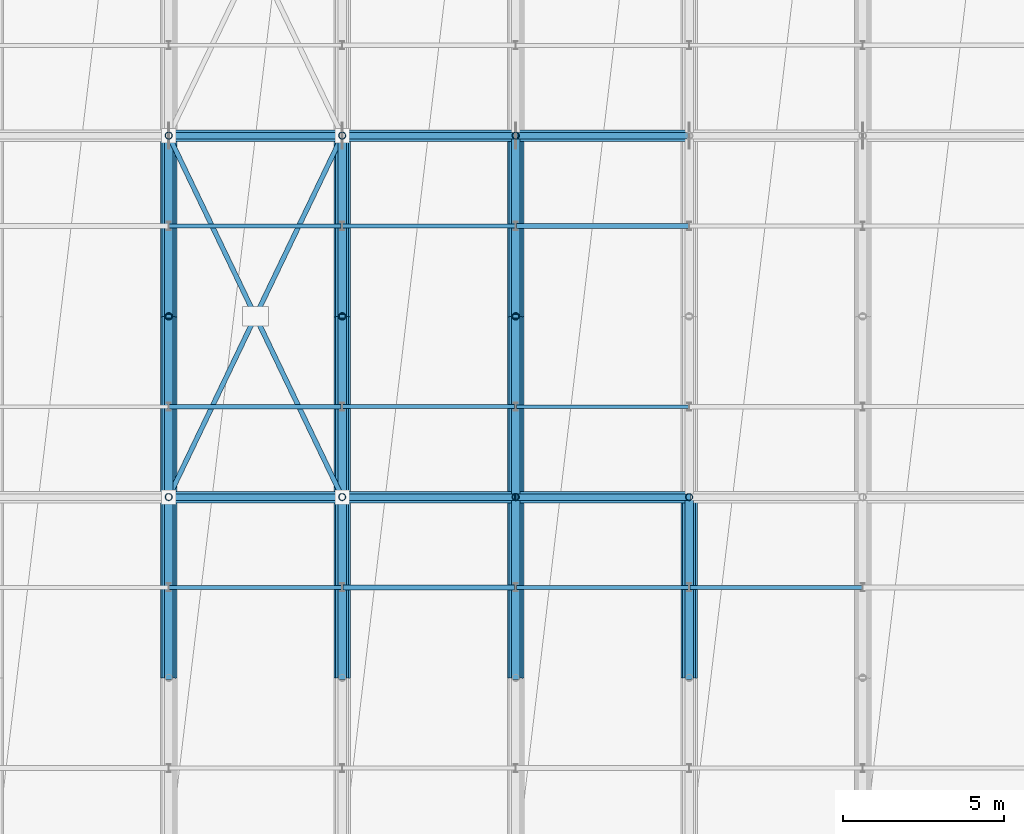
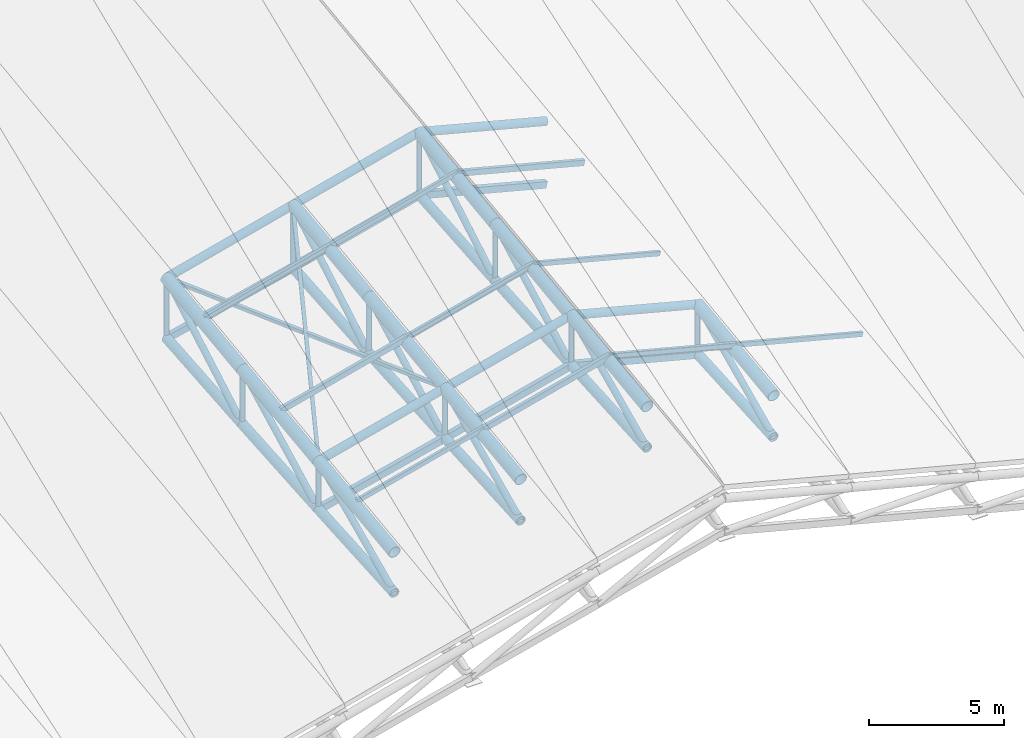
# One storey, part 9 of 109: 45 members, 20 beams.
"""IFC4 building model written with IfcOpenShell, lengths in metres."""

import ifcopenshell
import ifcopenshell.guid

model = None  # the IFC model being written
_history = None  # IfcOwnerHistory: only IFC2X3 demands one
_inside = {}  # id of a spatial element -> (the spatial element, [elements in it])
_under = {}  # id of a project, library or spatial element -> (it, [spatial elements below it])
_declared = {}  # id of a project -> (the project, [libraries it declares])
_typed = {}  # id of a type object -> (the type object, [elements of that type])
_made_of = {}  # id of a material, layer set ... -> (it, [elements and type objects made of it])


def new_model(schema):
    """Start an empty IFC model of exactly this schema.

    Asked for "IFC4X3", IfcOpenShell would pick the latest addendum, in which some entities
    have other attributes; the version numbers below select the first issue.
    IFC2X3 requires an IfcOwnerHistory on every rooted entity: one is made here for all.
    """
    global model, _history
    if schema == "IFC4X3":
        model = ifcopenshell.file(schema_version=(4, 3, 0, 0))
    else:
        model = ifcopenshell.file(schema=schema)
    _inside.clear()
    _under.clear()
    _declared.clear()
    _typed.clear()
    _made_of.clear()
    _history = None
    if model.schema == "IFC2X3":
        org = make("IfcOrganization", Name="unknown")
        user = make(
            "IfcPersonAndOrganization",
            ThePerson=make("IfcPerson", FamilyName="unknown"),
            TheOrganization=org,
        )
        app = make(
            "IfcApplication",
            ApplicationDeveloper=org,
            Version="unknown",
            ApplicationFullName="unknown",
            ApplicationIdentifier="unknown",
        )
        _history = make(
            "IfcOwnerHistory",
            OwningUser=user,
            OwningApplication=app,
            ChangeAction="ADDED",
            CreationDate=0,
        )
    return model


def make(cls, **values):
    """One entity of the class cls with the attributes given. An attribute that is None is left unset."""
    return model.create_entity(
        cls, **{name: value for name, value in values.items() if value is not None}
    )


def rooted(cls, **values):
    """An entity with a GlobalId (a new one), such as an element, a storey or a relation."""
    return make(cls, GlobalId=ifcopenshell.guid.new(), OwnerHistory=_history, **values)


def si_unit(unit_type, name, prefix=None):
    """IfcSIUnit, for example si_unit("LENGTHUNIT", "METRE", prefix="MILLI")."""
    return make("IfcSIUnit", UnitType=unit_type, Prefix=prefix, Name=name)


def assignment(units):
    """IfcUnitAssignment: the units of a project."""
    return None if units is None else make("IfcUnitAssignment", Units=units)


def point(xyz):
    """IfcCartesianPoint."""
    return None if xyz is None else make("IfcCartesianPoint", Coordinates=xyz)


def direction(xyz):
    """IfcDirection."""
    return None if xyz is None else make("IfcDirection", DirectionRatios=xyz)


def frame(location, z_axis=None, x_axis=None):
    """IfcAxis2Placement3D, a coordinate frame: its origin and axes. An axis left out is left unset."""
    return make(
        "IfcAxis2Placement3D",
        Location=point(location),
        Axis=direction(z_axis),
        RefDirection=direction(x_axis),
    )


def frame_2d(location, x_axis=None):
    """IfcAxis2Placement2D, a coordinate frame in the plane: its origin and x axis."""
    return make(
        "IfcAxis2Placement2D", Location=point(location), RefDirection=direction(x_axis)
    )


def origin():
    """The frame at (0, 0, 0) with its axes left unset."""
    return frame((0.0, 0.0, 0.0))


def origin_2d():
    """The frame at (0, 0) in the plane with its x axis left unset."""
    return frame_2d((0.0, 0.0))


def place(relative_to, where):
    """IfcLocalPlacement: puts the frame where relative to a parent placement (None: the world)."""
    return make(
        "IfcLocalPlacement", PlacementRelTo=relative_to, RelativePlacement=where
    )


def context(
    kind, dimensions, precision=None, world=None, true_north=None, identifier=None
):
    """IfcGeometricRepresentationContext, for example the 3D "Model" context."""
    return make(
        "IfcGeometricRepresentationContext",
        ContextIdentifier=identifier,
        ContextType=kind,
        CoordinateSpaceDimension=dimensions,
        Precision=precision,
        WorldCoordinateSystem=world,
        TrueNorth=true_north,
    )


def subcontext(parent, identifier, kind, view, scale=None):
    """IfcGeometricRepresentationSubContext, for example "Body" below "Model"."""
    return make(
        "IfcGeometricRepresentationSubContext",
        ContextIdentifier=identifier,
        ContextType=kind,
        ParentContext=parent,
        TargetScale=scale,
        TargetView=view,
    )


def project(units=None, contexts=None):
    """IfcProject with its units and contexts."""
    return rooted(
        "IfcProject",
        Name="project",
        RepresentationContexts=contexts,
        UnitsInContext=assignment(units),
    )


def spatial(cls, under=None, at=None, **own):
    """A site, building, storey or space (cls), placed at a placement, below another one or the project."""
    s = rooted(cls, ObjectPlacement=at, **own)
    if under is not None:
        _under.setdefault(under.id(), (under, []))[1].append(s)
    return s


def profile(cls, at=None, kind="AREA", **sizes):
    """A parametric profile (cls). Its sizes go by their IFC names, for example OverallWidth=200.0."""
    return make(cls, ProfileType=kind, Position=at, **sizes)


def hollow_rectangle(**sizes):
    """IfcRectangleHollowProfileDef."""
    return profile("IfcRectangleHollowProfileDef", **sizes)


def hollow_circle(**sizes):
    """IfcCircleHollowProfileDef."""
    return profile("IfcCircleHollowProfileDef", **sizes)


def i_section(**sizes):
    """IfcIShapeProfileDef."""
    return profile("IfcIShapeProfileDef", **sizes)


def extrude(swept, where, along, depth):
    """IfcExtrudedAreaSolid: the profile swept, set in the frame where, extruded along a direction by depth."""
    return make(
        "IfcExtrudedAreaSolid",
        SweptArea=swept,
        Position=where,
        ExtrudedDirection=direction(along),
        Depth=depth,
    )


def shape(context_of_items, identifier, shape_type, items):
    """IfcShapeRepresentation: the items that make up one representation, for example the "Body"."""
    return make(
        "IfcShapeRepresentation",
        ContextOfItems=context_of_items,
        RepresentationIdentifier=identifier,
        RepresentationType=shape_type,
        Items=items,
    )


def material(Name=None, Category=None):
    """IfcMaterial."""
    return make("IfcMaterial", Name=Name, Category=Category)


def material_profile(
    of_material, cross_section, Name=None, Category=None, Priority=None
):
    """IfcMaterialProfile: a cross section and its material."""
    return make(
        "IfcMaterialProfile",
        Name=Name,
        Material=of_material,
        Profile=cross_section,
        Priority=Priority,
        Category=Category,
    )


def profile_set(profiles, Name=None, composite=None):
    """IfcMaterialProfileSet."""
    return make(
        "IfcMaterialProfileSet",
        Name=Name,
        MaterialProfiles=profiles,
        CompositeProfile=composite,
    )


def made_of(thing, what):
    """Note that an element or type object is made of a material, layer set ...; save() writes the relation."""
    if what is not None:
        _made_of.setdefault(what.id(), (what, []))[1].append(thing)
    return thing


def type_object(cls, material=None, **own):
    """A type object (cls), such as IfcWallType, which elements share."""
    return made_of(rooted(cls, **own), material)


def element(
    cls,
    number,
    at=None,
    inside=None,
    cuts=None,
    type_object=None,
    material=None,
    context=None,
    identifier="Body",
    shape_type=None,
    held_by="IfcProductDefinitionShape",
    body=None,
    shapes=None,
    **own,
):
    """One element of the class cls, such as IfcWall. Its Tag is "e" and its number.

    at: its placement. inside: the storey or other place that contains it. cuts: it is an
    opening in that element (IfcRelVoidsElement). A single representation is given by context,
    identifier, shape_type and body (its items); several are given by shapes. held_by: the class
    of the entity that holds the representations. save() writes the other relations.
    """
    e = rooted(cls, Tag="e%d" % number, ObjectPlacement=at, **own)
    if body is not None:
        shapes = [shape(context, identifier, shape_type, body)]
    if shapes is not None:
        e.Representation = make(held_by, Representations=shapes)
    if inside is not None:
        _inside.setdefault(inside.id(), (inside, []))[1].append(e)
    if cuts is not None:
        rooted(
            "IfcRelVoidsElement", RelatingBuildingElement=cuts, RelatedOpeningElement=e
        )
    if type_object is not None:
        _typed.setdefault(type_object.id(), (type_object, []))[1].append(e)
    return made_of(e, material)


def aggregate(whole, parts):
    """IfcRelAggregates: a whole, such as a stair, and the parts it consists of."""
    return rooted("IfcRelAggregates", RelatingObject=whole, RelatedObjects=parts)


def save(model, path):
    """Write the relations noted so far, then the file.

    IfcRelAggregates (storeys below a building ...), IfcRelContainedInSpatialStructure (elements
    in a storey), IfcRelDefinesByType, IfcRelAssociatesMaterial and IfcRelDeclares: one each for
    every whole, place, type object, material and project.
    """
    for whole, parts in _under.values():
        aggregate(whole, parts)
    for where, things in _inside.values():
        rooted(
            "IfcRelContainedInSpatialStructure",
            RelatedElements=things,
            RelatingStructure=where,
        )
    for kind, things in _typed.values():
        rooted("IfcRelDefinesByType", RelatedObjects=things, RelatingType=kind)
    for what, things in _made_of.values():
        rooted("IfcRelAssociatesMaterial", RelatedObjects=things, RelatingMaterial=what)
    for by, libraries in _declared.values():
        rooted("IfcRelDeclares", RelatingContext=by, RelatedDefinitions=libraries)
    model.write(path)


model = new_model("IFC4")

# Units and contexts
model_context = context("Model", 3, precision=1e-05, world=origin(), true_north=direction((0.0, 1.0)))
body_context = subcontext(model_context, "Body", "Model", "MODEL_VIEW")
ifc_project = project(units=[si_unit("LENGTHUNIT", "METRE"), si_unit("AREAUNIT", "SQUARE_METRE"), si_unit("VOLUMEUNIT", "CUBIC_METRE"), si_unit("PLANEANGLEUNIT", "RADIAN"), si_unit("MASSUNIT", "GRAM", prefix="KILO")], contexts=[model_context])

# Site, building, storey
site_placement = place(None, origin())
site = spatial("IfcSite", under=ifc_project, at=site_placement, CompositionType="ELEMENT")
building_placement = place(site_placement, origin())
building = spatial("IfcBuilding", under=site, at=building_placement, Name="Suirenkawa Promenade Aquatics Centre", CompositionType="ELEMENT")
storey_placement = place(building_placement, frame((0.0, 0.0, 22.800048828125)))
storey = spatial("IfcBuildingStorey", under=building, at=storey_placement, Name="ROOF", CompositionType="ELEMENT", Elevation=22.800048828125)

# Beams
ifc_material = material(Name="Steel IS 2062 E350 (Grade 350)", Category="steel")
ifc_material_profile_1 = material_profile(ifc_material, hollow_circle(Radius=0.202880859375, WallThickness=0.01806640625, at=origin_2d()), Name="CHS 406x18", Category="steel")
ifc_profile_set_1 = profile_set([ifc_material_profile_1], Name="Steel IS 2062 E350 (Grade 350)")
beam_type_1 = type_object("IfcBeamType", Name="BT-BC-CHS406", PredefinedType="BEAM", material=ifc_profile_set_1)
beam_1_placement = place(storey_placement, frame((100.800048828125, 56.02490234375, -13.318115234375), z_axis=(0.0, 0.997689299688, 0.067941602049), x_axis=(-1.0, 0.0, 0.0)))
element("IfcBeam", 1, at=beam_1_placement, inside=storey, type_object=beam_type_1, Name="ROOF TRUSS V1 bottom chord BC-01 BM-2090", PredefinedType="BEAM", context=body_context, shape_type="SweptSolid", body=[
    extrude(hollow_circle(Radius=0.202880859375, WallThickness=0.01806640625, at=origin_2d()), origin(), (0.0, 0.0, 1.0), 5.637939453125),
])
beam_2_placement = place(storey_placement, frame((100.800048828125, 61.64990234375, -12.93505859375), z_axis=(0.0, 0.997144169649, 0.075521552779), x_axis=(-1.0, 0.0, 0.0)))
element("IfcBeam", 2, at=beam_2_placement, inside=storey, type_object=beam_type_1, Name="ROOF TRUSS V1 bottom chord BC-01 BM-2092", PredefinedType="BEAM", context=body_context, shape_type="SweptSolid", body=[
    extrude(hollow_circle(Radius=0.202880859375, WallThickness=0.01806640625, at=origin_2d()), origin(), (0.0, 0.0, 1.0), 5.64111328125),
])
beam_3_placement = place(storey_placement, frame((100.800048828125, 67.27490234375, -12.509033203125), z_axis=(0.0, 0.99628701216, 0.086094072969), x_axis=(-1.0, 0.0, 0.0)))
element("IfcBeam", 3, at=beam_3_placement, inside=storey, type_object=beam_type_1, Name="ROOF TRUSS V1 bottom chord BC-01 BM-2094", PredefinedType="BEAM", context=body_context, shape_type="SweptSolid", body=[
    extrude(hollow_circle(Radius=0.202880859375, WallThickness=0.01806640625, at=origin_2d()), origin(), (0.0, 0.0, 1.0), 5.64599609375),
])
beam_4_placement = place(storey_placement, frame((106.199951171875, 56.02490234375, -11.948974609375), z_axis=(0.0, 0.998014641122, 0.062982347578), x_axis=(-1.0, 0.0, 0.0)))
element("IfcBeam", 4, at=beam_4_placement, inside=storey, type_object=beam_type_1, Name="ROOF TRUSS V1 bottom chord BC-01 BM-2118", PredefinedType="BEAM", context=body_context, shape_type="SweptSolid", body=[
    extrude(hollow_circle(Radius=0.202880859375, WallThickness=0.01806640625, at=origin_2d()), origin(), (0.0, 0.0, 1.0), 5.63623046875),
])
beam_5_placement = place(storey_placement, frame((106.199951171875, 61.64990234375, -11.593994140625), z_axis=(0.0, 0.997470114587, 0.071087062854), x_axis=(-1.0, 0.0, 0.0)))
element("IfcBeam", 5, at=beam_5_placement, inside=storey, type_object=beam_type_1, Name="ROOF TRUSS V1 bottom chord BC-01 BM-2120", PredefinedType="BEAM", context=body_context, shape_type="SweptSolid", body=[
    extrude(hollow_circle(Radius=0.202880859375, WallThickness=0.01806640625, at=origin_2d()), origin(), (0.0, 0.0, 1.0), 5.63916015625),
])
beam_6_placement = place(storey_placement, frame((106.199951171875, 67.27490234375, -11.193115234375), z_axis=(0.0, 0.996585022784, 0.082572951758), x_axis=(-1.0, 0.0, 0.0)))
element("IfcBeam", 6, at=beam_6_placement, inside=storey, type_object=beam_type_1, Name="ROOF TRUSS V1 bottom chord BC-01 BM-2122", PredefinedType="BEAM", context=body_context, shape_type="SweptSolid", body=[
    extrude(hollow_circle(Radius=0.202880859375, WallThickness=0.01806640625, at=origin_2d()), origin(), (0.0, 0.0, 1.0), 5.644287109375),
])
beam_7_placement = place(storey_placement, frame((111.60009765625, 56.02490234375, -10.549072265625), z_axis=(0.0, 0.998014641122, 0.062982347578), x_axis=(-1.0, 0.0, 0.0)))
element("IfcBeam", 7, at=beam_7_placement, inside=storey, type_object=beam_type_1, Name="ROOF TRUSS V1 bottom chord BC-01 BM-2146", PredefinedType="BEAM", context=body_context, shape_type="SweptSolid", body=[
    extrude(hollow_circle(Radius=0.202880859375, WallThickness=0.01806640625, at=origin_2d()), origin(), (0.0, 0.0, 1.0), 5.63623046875),
])
beam_8_placement = place(storey_placement, frame((111.60009765625, 61.64990234375, -10.194091796875), z_axis=(0.0, 0.997467043882, 0.071130136853), x_axis=(-1.0, 0.0, 0.0)))
element("IfcBeam", 8, at=beam_8_placement, inside=storey, type_object=beam_type_1, Name="ROOF TRUSS V1 bottom chord BC-01 BM-2148", PredefinedType="BEAM", context=body_context, shape_type="SweptSolid", body=[
    extrude(hollow_circle(Radius=0.202880859375, WallThickness=0.01806640625, at=origin_2d()), origin(), (0.0, 0.0, 1.0), 5.639404296875),
])
beam_9_placement = place(storey_placement, frame((111.60009765625, 67.27490234375, -9.79296875), z_axis=(0.0, 0.996588581331, 0.082529991891), x_axis=(-1.0, 0.0, 0.0)))
element("IfcBeam", 9, at=beam_9_placement, inside=storey, type_object=beam_type_1, Name="ROOF TRUSS V1 bottom chord BC-01 BM-2150", PredefinedType="BEAM", context=body_context, shape_type="SweptSolid", body=[
    extrude(hollow_circle(Radius=0.202880859375, WallThickness=0.01806640625, at=origin_2d()), origin(), (0.0, 0.0, 1.0), 5.644287109375),
])
beam_10_placement = place(storey_placement, frame((117.0, 56.02490234375, -11.948974609375), z_axis=(0.0, 0.998014641122, 0.062982347578), x_axis=(-1.0, 0.0, 0.0)))
element("IfcBeam", 10, at=beam_10_placement, inside=storey, type_object=beam_type_1, Name="ROOF TRUSS V1 bottom chord BC-01 BM-2174", PredefinedType="BEAM", context=body_context, shape_type="SweptSolid", body=[
    extrude(hollow_circle(Radius=0.202880859375, WallThickness=0.01806640625, at=origin_2d()), origin(), (0.0, 0.0, 1.0), 5.63623046875),
])
ifc_material_profile_2 = material_profile(ifc_material, hollow_circle(Radius=0.25390625, WallThickness=0.02392578125, at=origin_2d()), Name="CHS 508x24", Category="steel")
ifc_profile_set_2 = profile_set([ifc_material_profile_2], Name="Steel IS 2062 E350 (Grade 350)")
beam_type_2 = type_object("IfcBeamType", Name="BT-TC-CHS508", PredefinedType="BEAM", material=ifc_profile_set_2)
for number, where, z_axis, x_axis, name in (
    (11, (100.800048828125, 56.02490234375, -11.47509765625), (0.0, 0.991793720609, 0.127848409297), (-1.0, 0.0, 0.0), "ROOF TRUSS V1 top chord TC-02 BM-2089"),
    (12, (100.800048828125, 61.64990234375, -10.75), (0.0, 0.991799178012, 0.127806065951), (-1.0, 0.0, 0.0), "ROOF TRUSS V1 top chord TC-02 BM-2091"),
    (13, (100.800048828125, 67.27490234375, -10.025146484375), (0.0, 0.991793720609, 0.127848409297), (-1.0, 0.0, 0.0), "ROOF TRUSS V1 top chord TC-02 BM-2093"),
    (14, (106.199951171875, 56.02490234375, -10.074951171875), (0.0, 0.991799178012, 0.127806065951), (-1.0, 0.0, 0.0), "ROOF TRUSS V1 top chord TC-02 BM-2117"),
    (15, (106.199951171875, 61.64990234375, -9.35009765625), (0.0, 0.991793720609, 0.127848409297), (-1.0, 0.0, 0.0), "ROOF TRUSS V1 top chord TC-02 BM-2119"),
    (16, (106.199951171875, 67.27490234375, -8.625), (0.0, 0.991799178012, 0.127806065951), (-1.0, 0.0, 0.0), "ROOF TRUSS V1 top chord TC-02 BM-2121"),
    (17, (111.60009765625, 56.02490234375, -8.675048828125), (0.0, 0.991793720609, 0.127848409297), (-1.0, 0.0, 0.0), "ROOF TRUSS V1 top chord TC-02 BM-2145"),
    (18, (111.60009765625, 61.64990234375, -7.949951171875), (0.0, 0.991799178012, 0.127806065951), (-1.0, 0.0, 0.0), "ROOF TRUSS V1 top chord TC-02 BM-2147"),
    (19, (111.60009765625, 67.27490234375, -7.22509765625), (0.0, 0.991793720609, 0.127848409297), (-1.0, 0.0, 0.0), "ROOF TRUSS V1 top chord TC-02 BM-2149"),
    (20, (117.0, 56.02490234375, -10.074951171875), (0.0, 0.991799178012, 0.127806065951), (-1.0, 0.0, 0.0), "ROOF TRUSS V1 top chord TC-02 BM-2173"),
):
    element("IfcBeam", number, at=place(storey_placement, frame(where, z_axis=z_axis, x_axis=x_axis)), inside=storey, type_object=beam_type_2, Name=name, PredefinedType="BEAM", context=body_context, shape_type="SweptSolid", body=[
        extrude(hollow_circle(Radius=0.25390625, WallThickness=0.02392578125, at=origin_2d()), origin(), (0.0, 0.0, 1.0), 5.671630859375),
    ])

# Members
ifc_material_profile_3 = material_profile(ifc_material, hollow_rectangle(XDim=0.14990234375, YDim=0.14990234375, WallThickness=0.008056640625, at=origin_2d()), Name="SHS 150x150x8", Category="steel")
ifc_profile_set_3 = profile_set([ifc_material_profile_3], Name="Steel IS 2062 E350 (Grade 350)")
member_type_1 = type_object("IfcMemberType", Name="MT-BRACE-SHS150", PredefinedType="BRACE", material=ifc_profile_set_3)
member_1_placement = place(storey_placement, frame((100.800048828125, 61.64990234375, -10.75), z_axis=(0.421863366241, 0.878897907423, 0.222642692564), x_axis=(-0.901526110403, 0.432724707246, 0.0)))
element("IfcMember", 21, at=member_1_placement, inside=storey, type_object=member_type_1, Name="ROOF TRUSS V1 continuous plan brace BF-02 MB-0941", PredefinedType="BRACE", context=body_context, shape_type="SweptSolid", body=[
    extrude(hollow_rectangle(XDim=0.14990234375, YDim=0.14990234375, WallThickness=0.008056640625, at=origin_2d()), origin(), (0.0, 0.0, 1.0), 12.800048828125),
])
member_2_placement = place(storey_placement, frame((106.199951171875, 61.64990234375, -9.35009765625), z_axis=(-0.432695212095, 0.901531007138, 0.004086147139), x_axis=(-0.901538533483, -0.432698824409, 0.0)))
element("IfcMember", 22, at=member_2_placement, inside=storey, type_object=member_type_1, Name="ROOF TRUSS V1 split plan brace A BF-02 MB-0942", PredefinedType="BRACE", context=body_context, shape_type="SweptSolid", body=[
    extrude(hollow_rectangle(XDim=0.14990234375, YDim=0.14990234375, WallThickness=0.008056640625, at=origin_2d()), origin(), (0.0, 0.0, 1.0), 6.154052734375),
])
member_3_placement = place(storey_placement, frame((103.462890625, 67.35205078125, -9.324951171875), z_axis=(-0.432710757709, 0.901523724047, 0.004046621187), x_axis=(-0.901531105428, -0.432714300603, 0.0)))
element("IfcMember", 23, at=member_3_placement, inside=storey, type_object=member_type_1, Name="ROOF TRUSS V1 split plan brace B BF-02 MB-0943", PredefinedType="BRACE", context=body_context, shape_type="SweptSolid", body=[
    extrude(hollow_rectangle(XDim=0.14990234375, YDim=0.14990234375, WallThickness=0.008056640625, at=origin_2d()), origin(), (0.0, 0.0, 1.0), 6.15380859375),
])
ifc_material_profile_4 = material_profile(ifc_material, hollow_circle(Radius=0.177978515625, WallThickness=0.01611328125, at=origin_2d()), Name="CHS 356x16", Category="steel")
ifc_profile_set_4 = profile_set([ifc_material_profile_4], Name="Steel IS 2062 E350 (Grade 350)")
member_type_2 = type_object("IfcMemberType", Name="MT-CHORD-CHS356", PredefinedType="CHORD", material=ifc_profile_set_4)
member_4_placement = place(storey_placement, frame((100.800048828125, 61.64990234375, -10.75), z_axis=(0.968000048288, 0.0, 0.250950007997), x_axis=(0.0, 1.0, 0.0)))
element("IfcMember", 24, at=member_4_placement, inside=storey, type_object=member_type_2, Name="ROOF TRUSS V1 tie chord CH-02 MB-0708", PredefinedType="CHORD", context=body_context, shape_type="SweptSolid", body=[
    extrude(hollow_circle(Radius=0.177978515625, WallThickness=0.01611328125, at=origin_2d()), origin(), (0.0, 0.0, 1.0), 5.578369140625),
])
member_5_placement = place(storey_placement, frame((106.199951171875, 61.64990234375, -9.35009765625), z_axis=(0.967992172948, 0.0, 0.250980383917), x_axis=(0.0, 1.0, 0.0)))
element("IfcMember", 25, at=member_5_placement, inside=storey, type_object=member_type_2, Name="ROOF TRUSS V1 tie chord CH-02 MB-0710", PredefinedType="CHORD", context=body_context, shape_type="SweptSolid", body=[
    extrude(hollow_circle(Radius=0.177978515625, WallThickness=0.01611328125, at=origin_2d()), origin(), (0.0, 0.0, 1.0), 5.57861328125),
])
for number, where, z_axis, x_axis, name in (
    (26, (111.60009765625, 61.64990234375, -7.949951171875), (0.967989416096, 0.0, -0.250991016426), (0.0, 1.0, 0.0), "ROOF TRUSS V1 tie chord CH-02 MB-0712"),
    (27, (100.800048828125, 72.89990234375, -9.300048828125), (0.968000048288, 0.0, 0.250950007997), (0.0, 1.0, 0.0), "ROOF TRUSS V1 tie chord CH-02 MB-0748"),
):
    element("IfcMember", number, at=place(storey_placement, frame(where, z_axis=z_axis, x_axis=x_axis)), inside=storey, type_object=member_type_2, Name=name, PredefinedType="CHORD", context=body_context, shape_type="SweptSolid", body=[
        extrude(hollow_circle(Radius=0.177978515625, WallThickness=0.01611328125, at=origin_2d()), origin(), (0.0, 0.0, 1.0), 5.578369140625),
    ])
member_6_placement = place(storey_placement, frame((106.199951171875, 72.89990234375, -7.900146484375), z_axis=(0.967992172948, 0.0, 0.250980383917), x_axis=(0.0, 1.0, 0.0)))
element("IfcMember", 28, at=member_6_placement, inside=storey, type_object=member_type_2, Name="ROOF TRUSS V1 tie chord CH-02 MB-0750", PredefinedType="CHORD", context=body_context, shape_type="SweptSolid", body=[
    extrude(hollow_circle(Radius=0.177978515625, WallThickness=0.01611328125, at=origin_2d()), origin(), (0.0, 0.0, 1.0), 5.57861328125),
])
member_7_placement = place(storey_placement, frame((111.60009765625, 72.89990234375, -6.5), z_axis=(0.967989416096, 0.0, -0.250991016426), x_axis=(0.0, 1.0, 0.0)))
element("IfcMember", 29, at=member_7_placement, inside=storey, type_object=member_type_2, Name="ROOF TRUSS V1 tie chord CH-02 MB-0752", PredefinedType="CHORD", context=body_context, shape_type="SweptSolid", body=[
    extrude(hollow_circle(Radius=0.177978515625, WallThickness=0.01611328125, at=origin_2d()), origin(), (0.0, 0.0, 1.0), 5.578369140625),
])
ifc_material_profile_5 = material_profile(ifc_material, hollow_rectangle(XDim=0.199951171875, YDim=0.300048828125, WallThickness=0.011962890625, at=origin_2d()), Name="RHS 300x200x12", Category="steel")
ifc_profile_set_5 = profile_set([ifc_material_profile_5], Name="Steel IS 2062 E350 (Grade 350)")
member_type_3 = type_object("IfcMemberType", Name="MT-CHORD-RHS300", PredefinedType="CHORD", material=ifc_profile_set_5)
member_8_placement = place(storey_placement, frame((100.800048828125, 61.64990234375, -12.93505859375), z_axis=(0.970518173216, 0.0, 0.241027955759), x_axis=(0.0, 1.0, 0.0)))
element("IfcMember", 30, at=member_8_placement, inside=storey, type_object=member_type_3, Name="ROOF TRUSS V1 bottom tie CH-03 MB-0709", PredefinedType="CHORD", context=body_context, shape_type="SweptSolid", body=[
    extrude(hollow_rectangle(XDim=0.199951171875, YDim=0.300048828125, WallThickness=0.011962890625, at=origin_2d()), origin(), (0.0, 0.0, 1.0), 5.56396484375),
])
member_9_placement = place(storey_placement, frame((106.199951171875, 61.64990234375, -11.593994140625), z_axis=(0.96800280427, 0.0, 0.250939376992), x_axis=(0.0, 1.0, 0.0)))
element("IfcMember", 31, at=member_9_placement, inside=storey, type_object=member_type_3, Name="ROOF TRUSS V1 bottom tie CH-03 MB-0711", PredefinedType="CHORD", context=body_context, shape_type="SweptSolid", body=[
    extrude(hollow_rectangle(XDim=0.199951171875, YDim=0.300048828125, WallThickness=0.011962890625, at=origin_2d()), origin(), (0.0, 0.0, 1.0), 5.57861328125),
])
member_10_placement = place(storey_placement, frame((111.60009765625, 61.64990234375, -10.194091796875), z_axis=(0.968000048288, 0.0, -0.250950007997), x_axis=(0.0, 1.0, 0.0)))
element("IfcMember", 32, at=member_10_placement, inside=storey, type_object=member_type_3, Name="ROOF TRUSS V1 bottom tie CH-03 MB-0713", PredefinedType="CHORD", context=body_context, shape_type="SweptSolid", body=[
    extrude(hollow_rectangle(XDim=0.199951171875, YDim=0.300048828125, WallThickness=0.011962890625, at=origin_2d()), origin(), (0.0, 0.0, 1.0), 5.578369140625),
])
member_11_placement = place(storey_placement, frame((100.800048828125, 72.89990234375, -12.02294921875), z_axis=(0.972390494417, 0.0, 0.233359650256), x_axis=(0.0, 1.0, 0.0)))
element("IfcMember", 33, at=member_11_placement, inside=storey, type_object=member_type_3, Name="ROOF TRUSS V1 bottom tie CH-03 MB-0749", PredefinedType="CHORD", context=body_context, shape_type="SweptSolid", body=[
    extrude(hollow_rectangle(XDim=0.199951171875, YDim=0.300048828125, WallThickness=0.011962890625, at=origin_2d()), origin(), (0.0, 0.0, 1.0), 5.55322265625),
])
member_12_placement = place(storey_placement, frame((106.199951171875, 72.89990234375, -10.72705078125), z_axis=(0.96800280427, 0.0, 0.250939376992), x_axis=(0.0, 1.0, 0.0)))
element("IfcMember", 34, at=member_12_placement, inside=storey, type_object=member_type_3, Name="ROOF TRUSS V1 bottom tie CH-03 MB-0751", PredefinedType="CHORD", context=body_context, shape_type="SweptSolid", body=[
    extrude(hollow_rectangle(XDim=0.199951171875, YDim=0.300048828125, WallThickness=0.011962890625, at=origin_2d()), origin(), (0.0, 0.0, 1.0), 5.57861328125),
])
member_13_placement = place(storey_placement, frame((111.60009765625, 72.89990234375, -9.3271484375), z_axis=(0.968000048288, 0.0, -0.250950007997), x_axis=(0.0, 1.0, 0.0)))
element("IfcMember", 35, at=member_13_placement, inside=storey, type_object=member_type_3, Name="ROOF TRUSS V1 bottom tie CH-03 MB-0753", PredefinedType="CHORD", context=body_context, shape_type="SweptSolid", body=[
    extrude(hollow_rectangle(XDim=0.199951171875, YDim=0.300048828125, WallThickness=0.011962890625, at=origin_2d()), origin(), (0.0, 0.0, 1.0), 5.578369140625),
])
ifc_material_profile_6 = material_profile(ifc_material, i_section(OverallWidth=0.125, OverallDepth=0.25, WebThickness=0.007080078125, FlangeThickness=0.012939453125, at=origin_2d()), Name="ISMB 250", Category="steel")
ifc_profile_set_6 = profile_set([ifc_material_profile_6], Name="Steel IS 2062 E350 (Grade 350)")
member_type_4 = type_object("IfcMemberType", Name="MT-PURLIN-ISMB250", PredefinedType="PURLIN", material=ifc_profile_set_6)
member_14_placement = place(storey_placement, frame((100.800048828125, 70.087890625, -9.442138671875), z_axis=(0.967989416096, 0.0, 0.250991016426), x_axis=(0.0, 1.0, 0.0)))
element("IfcMember", 36, at=member_14_placement, inside=storey, type_object=member_type_4, Name="ROOF TRUSS Roof purlin PU-04 MB-2055", PredefinedType="PURLIN", context=body_context, shape_type="SweptSolid", body=[
    extrude(i_section(OverallWidth=0.125, OverallDepth=0.25, WebThickness=0.007080078125, FlangeThickness=0.012939453125, at=origin_2d()), origin(), (0.0, 0.0, 1.0), 5.578369140625),
])
member_15_placement = place(storey_placement, frame((106.199951171875, 64.462890625, -8.76611328125), z_axis=(0.967992172948, 0.0, 0.250980383917), x_axis=(0.0, 1.0, 0.0)))
element("IfcMember", 37, at=member_15_placement, inside=storey, type_object=member_type_4, Name="ROOF TRUSS Roof purlin PU-04 MB-2089", PredefinedType="PURLIN", context=body_context, shape_type="SweptSolid", body=[
    extrude(i_section(OverallWidth=0.125, OverallDepth=0.25, WebThickness=0.007080078125, FlangeThickness=0.012939453125, at=origin_2d()), origin(), (0.0, 0.0, 1.0), 5.57861328125),
])
member_16_placement = place(storey_placement, frame((111.60009765625, 58.8369140625, -8.092041015625), z_axis=(0.968000048288, 0.0, -0.250950007997), x_axis=(0.0, 1.0, 0.0)))
element("IfcMember", 38, at=member_16_placement, inside=storey, type_object=member_type_4, Name="ROOF TRUSS Roof purlin PU-04 MB-2123", PredefinedType="PURLIN", context=body_context, shape_type="SweptSolid", body=[
    extrude(i_section(OverallWidth=0.125, OverallDepth=0.25, WebThickness=0.007080078125, FlangeThickness=0.012939453125, at=origin_2d()), origin(), (0.0, 0.0, 1.0), 5.578369140625),
])
ifc_material_profile_7 = material_profile(ifc_material, hollow_rectangle(XDim=0.1201171875, YDim=0.199951171875, WallThickness=0.008056640625, at=origin_2d()), Name="RHS 200x120x8", Category="steel")
ifc_profile_set_7 = profile_set([ifc_material_profile_7], Name="Steel IS 2062 E350 (Grade 350)")
member_type_5 = type_object("IfcMemberType", Name="MT-PURLIN-RHS200", PredefinedType="PURLIN", material=ifc_profile_set_7)
member_17_placement = place(storey_placement, frame((100.800048828125, 58.8369140625, -10.865966796875), z_axis=(0.968000048288, 0.0, 0.250950007997), x_axis=(0.0, 1.0, 0.0)))
element("IfcMember", 39, at=member_17_placement, inside=storey, type_object=member_type_5, Name="ROOF TRUSS Roof purlin PU-02 MB-2051", PredefinedType="PURLIN", context=body_context, shape_type="SweptSolid", body=[
    extrude(hollow_rectangle(XDim=0.1201171875, YDim=0.199951171875, WallThickness=0.008056640625, at=origin_2d()), origin(), (0.0, 0.0, 1.0), 5.578369140625),
])
member_18_placement = place(storey_placement, frame((106.199951171875, 70.087890625, -8.01611328125), z_axis=(0.967992172948, 0.0, 0.250980383917), x_axis=(0.0, 1.0, 0.0)))
element("IfcMember", 40, at=member_18_placement, inside=storey, type_object=member_type_5, Name="ROOF TRUSS Roof purlin PU-02 MB-2091", PredefinedType="PURLIN", context=body_context, shape_type="SweptSolid", body=[
    extrude(hollow_rectangle(XDim=0.1201171875, YDim=0.199951171875, WallThickness=0.008056640625, at=origin_2d()), origin(), (0.0, 0.0, 1.0), 5.57861328125),
])
for number, where, z_axis, x_axis, name in (
    (41, (111.60009765625, 64.462890625, -7.341064453125), (0.968000048288, 0.0, -0.250950007997), (0.0, 1.0, 0.0), "ROOF TRUSS Roof purlin PU-02 MB-2125"),
    (42, (117.0, 58.8369140625, -9.466064453125), (0.968000048288, 0.0, -0.250950007997), (0.0, 1.0, 0.0), "ROOF TRUSS Roof purlin PU-02 MB-2159"),
):
    element("IfcMember", number, at=place(storey_placement, frame(where, z_axis=z_axis, x_axis=x_axis)), inside=storey, type_object=member_type_5, Name=name, PredefinedType="PURLIN", context=body_context, shape_type="SweptSolid", body=[
        extrude(hollow_rectangle(XDim=0.1201171875, YDim=0.199951171875, WallThickness=0.008056640625, at=origin_2d()), origin(), (0.0, 0.0, 1.0), 5.578369140625),
    ])
ifc_material_profile_8 = material_profile(ifc_material, hollow_rectangle(XDim=0.14990234375, YDim=0.25, WallThickness=0.010009765625, at=origin_2d()), Name="RHS 250x150x10", Category="steel")
ifc_profile_set_8 = profile_set([ifc_material_profile_8], Name="Steel IS 2062 E350 (Grade 350)")
member_type_6 = type_object("IfcMemberType", Name="MT-PURLIN-RHS250", PredefinedType="PURLIN", material=ifc_profile_set_8)
member_19_placement = place(storey_placement, frame((100.800048828125, 64.462890625, -10.16796875), z_axis=(0.968000048288, 0.0, 0.250950007997), x_axis=(0.0, 1.0, 0.0)))
element("IfcMember", 43, at=member_19_placement, inside=storey, type_object=member_type_6, Name="ROOF TRUSS Roof purlin PU-03 MB-2053", PredefinedType="PURLIN", context=body_context, shape_type="SweptSolid", body=[
    extrude(hollow_rectangle(XDim=0.14990234375, YDim=0.25, WallThickness=0.010009765625, at=origin_2d()), origin(), (0.0, 0.0, 1.0), 5.578369140625),
])
member_20_placement = place(storey_placement, frame((106.199951171875, 58.8369140625, -9.4931640625), z_axis=(0.967992172948, 0.0, 0.250980383917), x_axis=(0.0, 1.0, 0.0)))
element("IfcMember", 44, at=member_20_placement, inside=storey, type_object=member_type_6, Name="ROOF TRUSS Roof purlin PU-03 MB-2087", PredefinedType="PURLIN", context=body_context, shape_type="SweptSolid", body=[
    extrude(hollow_rectangle(XDim=0.14990234375, YDim=0.25, WallThickness=0.010009765625, at=origin_2d()), origin(), (0.0, 0.0, 1.0), 5.57861328125),
])
member_21_placement = place(storey_placement, frame((111.60009765625, 70.087890625, -6.64306640625), z_axis=(0.968000048288, 0.0, -0.250950007997), x_axis=(0.0, 1.0, 0.0)))
element("IfcMember", 45, at=member_21_placement, inside=storey, type_object=member_type_6, Name="ROOF TRUSS Roof purlin PU-03 MB-2127", PredefinedType="PURLIN", context=body_context, shape_type="SweptSolid", body=[
    extrude(hollow_rectangle(XDim=0.14990234375, YDim=0.25, WallThickness=0.010009765625, at=origin_2d()), origin(), (0.0, 0.0, 1.0), 5.578369140625),
])
ifc_material_profile_9 = material_profile(ifc_material, hollow_circle(Radius=0.110107421875, WallThickness=0.010009765625, at=origin_2d()), Name="CHS 220x10", Category="steel")
ifc_profile_set_9 = profile_set([ifc_material_profile_9], Name="Steel IS 2062 E350 (Grade 350)")
member_type_7 = type_object("IfcMemberType", Name="MT-WEB-CHS220", PredefinedType="BRACE", material=ifc_profile_set_9)
member_22_placement = place(storey_placement, frame((100.800048828125, 61.64990234375, -12.93505859375), z_axis=(0.0, 0.0, 1.0), x_axis=(1.0, 0.0, 0.0)))
element("IfcMember", 46, at=member_22_placement, inside=storey, type_object=member_type_7, Name="ROOF TRUSS V1 web post TD-01 MB-0286", PredefinedType="BRACE", context=body_context, shape_type="SweptSolid", body=[
    extrude(hollow_circle(Radius=0.110107421875, WallThickness=0.010009765625, at=origin_2d()), origin(), (0.0, 0.0, 1.0), 2.18505859375),
])
member_23_placement = place(storey_placement, frame((100.800048828125, 67.27490234375, -12.509033203125), z_axis=(0.0, 0.0, 1.0), x_axis=(1.0, 0.0, 0.0)))
element("IfcMember", 47, at=member_23_placement, inside=storey, type_object=member_type_7, Name="ROOF TRUSS V1 web post TD-01 MB-0287", PredefinedType="BRACE", context=body_context, shape_type="SweptSolid", body=[
    extrude(hollow_circle(Radius=0.110107421875, WallThickness=0.010009765625, at=origin_2d()), origin(), (0.0, 0.0, 1.0), 2.48388671875),
])
member_24_placement = place(storey_placement, frame((100.800048828125, 72.89990234375, -12.02294921875), z_axis=(0.0, 0.0, 1.0), x_axis=(1.0, 0.0, 0.0)))
element("IfcMember", 48, at=member_24_placement, inside=storey, type_object=member_type_7, Name="ROOF TRUSS V1 web post TD-01 MB-0288", PredefinedType="BRACE", context=body_context, shape_type="SweptSolid", body=[
    extrude(hollow_circle(Radius=0.110107421875, WallThickness=0.010009765625, at=origin_2d()), origin(), (0.0, 0.0, 1.0), 2.722900390625),
])
member_25_placement = place(storey_placement, frame((106.199951171875, 61.64990234375, -11.593994140625), z_axis=(0.0, 0.0, 1.0), x_axis=(1.0, 0.0, 0.0)))
element("IfcMember", 49, at=member_25_placement, inside=storey, type_object=member_type_7, Name="ROOF TRUSS V1 web post TD-01 MB-0313", PredefinedType="BRACE", context=body_context, shape_type="SweptSolid", body=[
    extrude(hollow_circle(Radius=0.110107421875, WallThickness=0.010009765625, at=origin_2d()), origin(), (0.0, 0.0, 1.0), 2.243896484375),
])
member_26_placement = place(storey_placement, frame((106.199951171875, 67.27490234375, -11.193115234375), z_axis=(0.0, 0.0, 1.0), x_axis=(1.0, 0.0, 0.0)))
element("IfcMember", 50, at=member_26_placement, inside=storey, type_object=member_type_7, Name="ROOF TRUSS V1 web post TD-01 MB-0314", PredefinedType="BRACE", context=body_context, shape_type="SweptSolid", body=[
    extrude(hollow_circle(Radius=0.110107421875, WallThickness=0.010009765625, at=origin_2d()), origin(), (0.0, 0.0, 1.0), 2.568115234375),
])
member_27_placement = place(storey_placement, frame((106.199951171875, 72.89990234375, -10.72705078125), z_axis=(0.0, 0.0, 1.0), x_axis=(1.0, 0.0, 0.0)))
element("IfcMember", 51, at=member_27_placement, inside=storey, type_object=member_type_7, Name="ROOF TRUSS V1 web post TD-01 MB-0315", PredefinedType="BRACE", context=body_context, shape_type="SweptSolid", body=[
    extrude(hollow_circle(Radius=0.110107421875, WallThickness=0.010009765625, at=origin_2d()), origin(), (0.0, 0.0, 1.0), 2.826904296875),
])
member_28_placement = place(storey_placement, frame((111.60009765625, 61.64990234375, -10.194091796875), z_axis=(0.0, 0.0, 1.0), x_axis=(1.0, 0.0, 0.0)))
element("IfcMember", 52, at=member_28_placement, inside=storey, type_object=member_type_7, Name="ROOF TRUSS V1 web post TD-01 MB-0340", PredefinedType="BRACE", context=body_context, shape_type="SweptSolid", body=[
    extrude(hollow_circle(Radius=0.110107421875, WallThickness=0.010009765625, at=origin_2d()), origin(), (0.0, 0.0, 1.0), 2.244140625),
])
member_29_placement = place(storey_placement, frame((111.60009765625, 67.27490234375, -9.79296875), z_axis=(0.0, 0.0, 1.0), x_axis=(1.0, 0.0, 0.0)))
element("IfcMember", 53, at=member_29_placement, inside=storey, type_object=member_type_7, Name="ROOF TRUSS V1 web post TD-01 MB-0341", PredefinedType="BRACE", context=body_context, shape_type="SweptSolid", body=[
    extrude(hollow_circle(Radius=0.110107421875, WallThickness=0.010009765625, at=origin_2d()), origin(), (0.0, 0.0, 1.0), 2.56787109375),
])
member_30_placement = place(storey_placement, frame((111.60009765625, 72.89990234375, -9.3271484375), z_axis=(0.0, 0.0, 1.0), x_axis=(1.0, 0.0, 0.0)))
element("IfcMember", 54, at=member_30_placement, inside=storey, type_object=member_type_7, Name="ROOF TRUSS V1 web post TD-01 MB-0342", PredefinedType="BRACE", context=body_context, shape_type="SweptSolid", body=[
    extrude(hollow_circle(Radius=0.110107421875, WallThickness=0.010009765625, at=origin_2d()), origin(), (0.0, 0.0, 1.0), 2.8271484375),
])
member_31_placement = place(storey_placement, frame((117.0, 61.64990234375, -11.593994140625), z_axis=(0.0, 0.0, 1.0), x_axis=(1.0, 0.0, 0.0)))
element("IfcMember", 55, at=member_31_placement, inside=storey, type_object=member_type_7, Name="ROOF TRUSS V1 web post TD-01 MB-0367", PredefinedType="BRACE", context=body_context, shape_type="SweptSolid", body=[
    extrude(hollow_circle(Radius=0.110107421875, WallThickness=0.010009765625, at=origin_2d()), origin(), (0.0, 0.0, 1.0), 2.243896484375),
])
ifc_material_profile_10 = material_profile(ifc_material, hollow_circle(Radius=0.136962890625, WallThickness=0.011962890625, at=origin_2d()), Name="CHS 274x12", Category="steel")
ifc_profile_set_10 = profile_set([ifc_material_profile_10], Name="Steel IS 2062 E350 (Grade 350)")
member_type_8 = type_object("IfcMemberType", Name="MT-WEB-CHS274", PredefinedType="BRACE", material=ifc_profile_set_10)
member_32_placement = place(storey_placement, frame((100.800048828125, 56.02490234375, -13.318115234375), z_axis=(0.0, 0.909676978705, 0.415316499088), x_axis=(-1.0, 0.0, 0.0)))
element("IfcMember", 56, at=member_32_placement, inside=storey, type_object=member_type_8, Name="ROOF TRUSS V1 web diagonal TD-02 MB-0272", PredefinedType="BRACE", context=body_context, shape_type="SweptSolid", body=[
    extrude(hollow_circle(Radius=0.136962890625, WallThickness=0.011962890625, at=origin_2d()), origin(), (0.0, 0.0, 1.0), 6.18359375),
])
member_33_placement = place(storey_placement, frame((100.800048828125, 61.64990234375, -12.93505859375), z_axis=(0.0, 0.88818997674, 0.459476403332), x_axis=(-1.0, 0.0, 0.0)))
element("IfcMember", 57, at=member_33_placement, inside=storey, type_object=member_type_8, Name="ROOF TRUSS V1 web diagonal TD-02 MB-0273", PredefinedType="BRACE", context=body_context, shape_type="SweptSolid", body=[
    extrude(hollow_circle(Radius=0.136962890625, WallThickness=0.011962890625, at=origin_2d()), origin(), (0.0, 0.0, 1.0), 6.3330078125),
])
member_34_placement = place(storey_placement, frame((100.800048828125, 67.27490234375, -12.509033203125), z_axis=(0.0, 0.868595557765, 0.495521701878), x_axis=(-1.0, 0.0, 0.0)))
element("IfcMember", 58, at=member_34_placement, inside=storey, type_object=member_type_8, Name="ROOF TRUSS V1 web diagonal TD-02 MB-0274", PredefinedType="BRACE", context=body_context, shape_type="SweptSolid", body=[
    extrude(hollow_circle(Radius=0.136962890625, WallThickness=0.011962890625, at=origin_2d()), origin(), (0.0, 0.0, 1.0), 6.47607421875),
])
member_35_placement = place(storey_placement, frame((106.199951171875, 56.02490234375, -11.948974609375), z_axis=(0.0, 0.907792099497, 0.419420438331), x_axis=(-1.0, 0.0, 0.0)))
element("IfcMember", 59, at=member_35_placement, inside=storey, type_object=member_type_8, Name="ROOF TRUSS V1 web diagonal TD-02 MB-0299", PredefinedType="BRACE", context=body_context, shape_type="SweptSolid", body=[
    extrude(hollow_circle(Radius=0.136962890625, WallThickness=0.011962890625, at=origin_2d()), origin(), (0.0, 0.0, 1.0), 6.1962890625),
])
member_36_placement = place(storey_placement, frame((106.199951171875, 61.64990234375, -11.593994140625), z_axis=(0.0, 0.884368907617, 0.466788640865), x_axis=(-1.0, 0.0, 0.0)))
element("IfcMember", 60, at=member_36_placement, inside=storey, type_object=member_type_8, Name="ROOF TRUSS V1 web diagonal TD-02 MB-0300", PredefinedType="BRACE", context=body_context, shape_type="SweptSolid", body=[
    extrude(hollow_circle(Radius=0.136962890625, WallThickness=0.011962890625, at=origin_2d()), origin(), (0.0, 0.0, 1.0), 6.3603515625),
])
member_37_placement = place(storey_placement, frame((106.199951171875, 67.27490234375, -11.193115234375), z_axis=(0.0, 0.862995350533, 0.505211861458), x_axis=(-1.0, 0.0, 0.0)))
element("IfcMember", 61, at=member_37_placement, inside=storey, type_object=member_type_8, Name="ROOF TRUSS V1 web diagonal TD-02 MB-0301", PredefinedType="BRACE", context=body_context, shape_type="SweptSolid", body=[
    extrude(hollow_circle(Radius=0.136962890625, WallThickness=0.011962890625, at=origin_2d()), origin(), (0.0, 0.0, 1.0), 6.51806640625),
])
member_38_placement = place(storey_placement, frame((111.60009765625, 56.02490234375, -10.549072265625), z_axis=(0.0, 0.907777097484, 0.41945290711), x_axis=(-1.0, 0.0, 0.0)))
element("IfcMember", 62, at=member_38_placement, inside=storey, type_object=member_type_8, Name="ROOF TRUSS V1 web diagonal TD-02 MB-0326", PredefinedType="BRACE", context=body_context, shape_type="SweptSolid", body=[
    extrude(hollow_circle(Radius=0.136962890625, WallThickness=0.011962890625, at=origin_2d()), origin(), (0.0, 0.0, 1.0), 6.196533203125),
])
member_39_placement = place(storey_placement, frame((111.60009765625, 61.64990234375, -10.194091796875), z_axis=(0.0, 0.884368907617, 0.466788640865), x_axis=(-1.0, 0.0, 0.0)))
element("IfcMember", 63, at=member_39_placement, inside=storey, type_object=member_type_8, Name="ROOF TRUSS V1 web diagonal TD-02 MB-0327", PredefinedType="BRACE", context=body_context, shape_type="SweptSolid", body=[
    extrude(hollow_circle(Radius=0.136962890625, WallThickness=0.011962890625, at=origin_2d()), origin(), (0.0, 0.0, 1.0), 6.3603515625),
])
member_40_placement = place(storey_placement, frame((111.60009765625, 67.27490234375, -9.79296875), z_axis=(0.0, 0.862995350533, 0.505211861458), x_axis=(-1.0, 0.0, 0.0)))
element("IfcMember", 64, at=member_40_placement, inside=storey, type_object=member_type_8, Name="ROOF TRUSS V1 web diagonal TD-02 MB-0328", PredefinedType="BRACE", context=body_context, shape_type="SweptSolid", body=[
    extrude(hollow_circle(Radius=0.136962890625, WallThickness=0.011962890625, at=origin_2d()), origin(), (0.0, 0.0, 1.0), 6.51806640625),
])
member_41_placement = place(storey_placement, frame((117.0, 56.02490234375, -11.948974609375), z_axis=(0.0, 0.907792099497, 0.419420438331), x_axis=(-1.0, 0.0, 0.0)))
element("IfcMember", 65, at=member_41_placement, inside=storey, type_object=member_type_8, Name="ROOF TRUSS V1 web diagonal TD-02 MB-0353", PredefinedType="BRACE", context=body_context, shape_type="SweptSolid", body=[
    extrude(hollow_circle(Radius=0.136962890625, WallThickness=0.011962890625, at=origin_2d()), origin(), (0.0, 0.0, 1.0), 6.1962890625),
])

save(model, "model.ifc")
